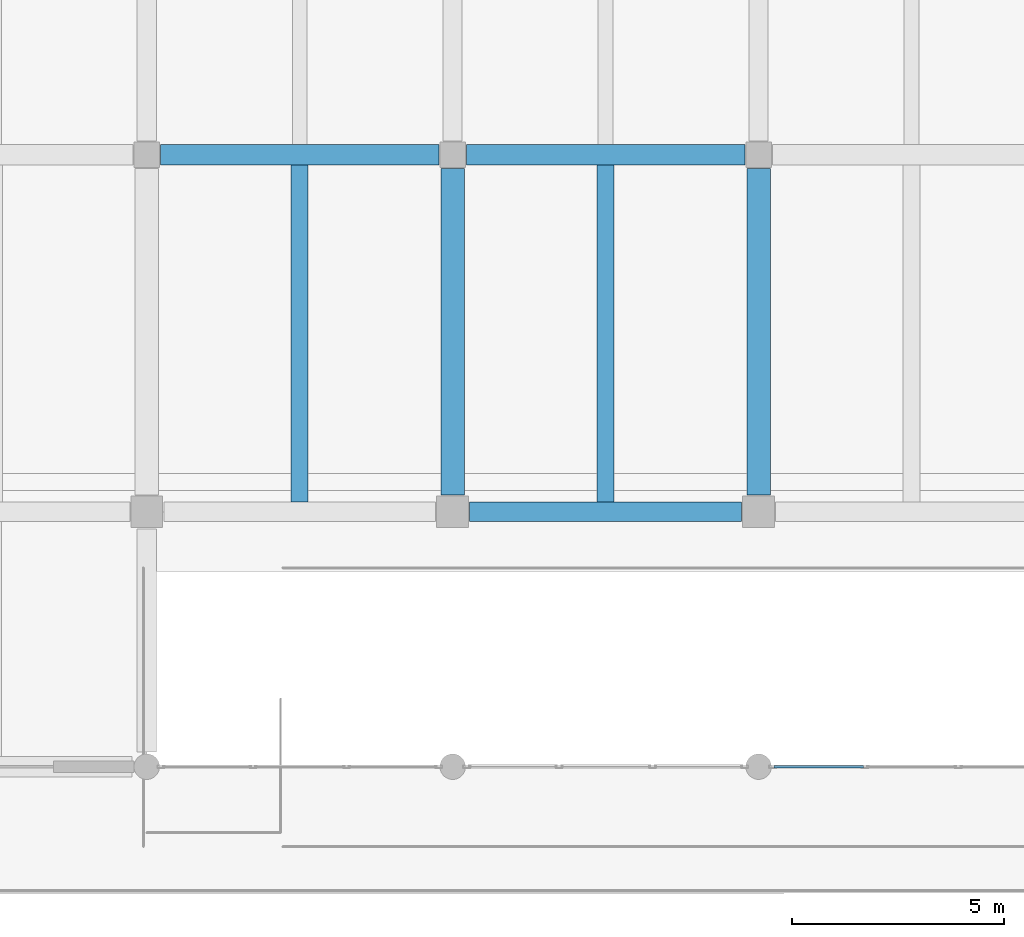
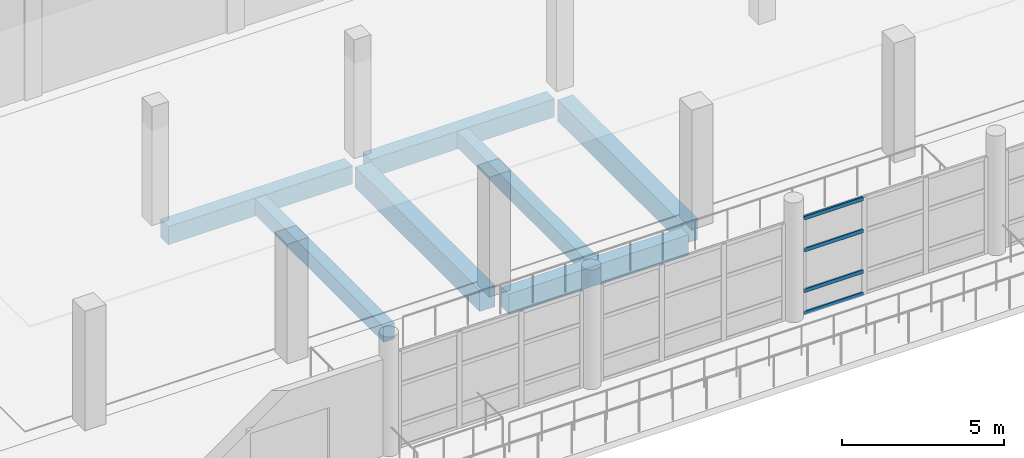
# One storey, part 10 of 71: 7 beams, 4 members, 1 element without a shape of its own.
"""IFC4 building model written with IfcOpenShell, lengths in metres."""

from ifc_helpers import new_model, si_unit, direction, frame, origin, origin_2d, place, context, subcontext, project, spatial, rectangle, hollow_rectangle, extrude, material, material_profile, profile_set, type_object, element, aggregate, save


model = new_model("IFC4")

# Units and contexts
model_context = context("Model", 3, precision=1e-05, world=origin(), true_north=direction((0.0, 1.0)))
body_context = subcontext(model_context, "Body", "Model", "MODEL_VIEW")
ifc_project = project(units=[si_unit("LENGTHUNIT", "METRE"), si_unit("AREAUNIT", "SQUARE_METRE"), si_unit("VOLUMEUNIT", "CUBIC_METRE"), si_unit("PLANEANGLEUNIT", "RADIAN"), si_unit("MASSUNIT", "GRAM", prefix="KILO")], contexts=[model_context])

# Site, building, storey
site_placement = place(None, origin())
site = spatial("IfcSite", under=ifc_project, at=site_placement, CompositionType="ELEMENT")
building_placement = place(site_placement, origin())
building = spatial("IfcBuilding", under=site, at=building_placement, Name="Pellamere Symphony Hall", CompositionType="ELEMENT")
storey_placement = place(building_placement, frame((0.0, 0.0, 15.0)))
storey = spatial("IfcBuildingStorey", under=building, at=storey_placement, Name="L03", CompositionType="ELEMENT", Elevation=15.0)

# Curtain wall, members
ifc_material_1 = material(Name="Thermally Broken Anodised Aluminium 6063-T6 Curtain Wall", Category="aluminium")
curtain_wall_type = type_object("IfcCurtainWallType", Name="Curtain Wall CW-02 (Winter-Garden South Concourse Curtain Wall)", PredefinedType="NOTDEFINED", material=ifc_material_1)
curtain_wall_placement = place(storey_placement, origin())
curtain_wall = element("IfcCurtainWall", 1, at=curtain_wall_placement, inside=storey, type_object=curtain_wall_type, Name="Winter-Garden South Curtain Wall (L03 Bay 7)", PredefinedType="NOTDEFINED")
ifc_material_2 = material(Name="Anodised Architectural Aluminium 6063-T6", Category="aluminium")
ifc_material_profile_1 = material_profile(ifc_material_2, hollow_rectangle(XDim=0.06494140625, YDim=0.139892578125, WallThickness=0.00390625, at=origin_2d()), Name="ALU-T65X140X4")
ifc_profile_set_1 = profile_set([ifc_material_profile_1], Name="Anodised Architectural Aluminium 6063-T6")
member_type = type_object("IfcMemberType", Name="Curtain Wall Transom TR-02 ALU-T65X140X4", PredefinedType="USERDEFINED", material=ifc_profile_set_1)
member_1_placement = place(storey_placement, frame((87.965087890625, 24.0, 0.032470703125), z_axis=(1.0, 0.0, 0.0), x_axis=(0.0, 1.0, 0.0)))
member_1 = element("IfcMember", 2, at=member_1_placement, type_object=member_type, Name="CW2-091 crystal transom 1.1", ObjectType="TRANSOM", PredefinedType="USERDEFINED", context=body_context, shape_type="SweptSolid", body=[
    extrude(hollow_rectangle(XDim=0.06494140625, YDim=0.139892578125, WallThickness=0.00390625, at=origin_2d()), origin(), (0.0, 0.0, 1.0), 2.102294921875),
])
member_2_placement = place(storey_placement, frame((87.965087890625, 24.0, 0.87353515625), z_axis=(1.0, 0.0, 0.0), x_axis=(0.0, 1.0, 0.0)))
member_2 = element("IfcMember", 3, at=member_2_placement, type_object=member_type, Name="CW2-091 crystal transom 1.2", ObjectType="TRANSOM", PredefinedType="USERDEFINED", context=body_context, shape_type="SweptSolid", body=[
    extrude(hollow_rectangle(XDim=0.06494140625, YDim=0.139892578125, WallThickness=0.00390625, at=origin_2d()), origin(), (0.0, 0.0, 1.0), 2.102294921875),
])
member_3_placement = place(storey_placement, frame((87.965087890625, 24.0, 2.40234375), z_axis=(1.0, 0.0, 0.0), x_axis=(0.0, 1.0, 0.0)))
member_3 = element("IfcMember", 4, at=member_3_placement, type_object=member_type, Name="CW2-091 crystal transom 1.3", ObjectType="TRANSOM", PredefinedType="USERDEFINED", context=body_context, shape_type="SweptSolid", body=[
    extrude(hollow_rectangle(XDim=0.06494140625, YDim=0.139892578125, WallThickness=0.00390625, at=origin_2d()), origin(), (0.0, 0.0, 1.0), 2.102294921875),
])
member_4_placement = place(storey_placement, frame((87.965087890625, 24.0, 3.607421875), z_axis=(1.0, 0.0, 0.0), x_axis=(0.0, 1.0, 0.0)))
member_4 = element("IfcMember", 5, at=member_4_placement, type_object=member_type, Name="CW2-091 crystal transom 1.4", ObjectType="TRANSOM", PredefinedType="USERDEFINED", context=body_context, shape_type="SweptSolid", body=[
    extrude(hollow_rectangle(XDim=0.06494140625, YDim=0.139892578125, WallThickness=0.00390625, at=origin_2d()), origin(), (0.0, 0.0, 1.0), 2.102294921875),
])
aggregate(curtain_wall, [member_1, member_2, member_3, member_4])

# Beams
ifc_material_3 = material(Name="Concrete 40 MPa", Category="concrete")
ifc_material_profile_2 = material_profile(ifc_material_3, rectangle(XDim=0.550048828125, YDim=0.800048828125, at=origin_2d()), Name="RC 550x800")
ifc_profile_set_2 = profile_set([ifc_material_profile_2], Name="Concrete 40 MPa")
beam_type_1 = type_object("IfcBeamType", Name="RC CB-05 550x800", PredefinedType="BEAM", material=ifc_profile_set_2)
for number, where, z_axis, x_axis, name in (
    (6, (80.39990234375, 30.39990234375, -0.659912109375), (0.0, 1.0, 0.0), (-1.0, 0.0, 0.0), "Girder CB-05-Y1631 (L03)"),
    (7, (87.60009765625, 30.39990234375, -0.659912109375), (0.0, 1.0, 0.0), (-1.0, 0.0, 0.0), "Girder CB-05-Y1635 (L03)"),
):
    element("IfcBeam", number, at=place(storey_placement, frame(where, z_axis=z_axis, x_axis=x_axis)), inside=storey, type_object=beam_type_1, Name=name, PredefinedType="BEAM", context=body_context, shape_type="SweptSolid", body=[
        extrude(rectangle(XDim=0.550048828125, YDim=0.800048828125, at=origin_2d()), origin(), (0.0, 0.0, 1.0), 7.675048828125),
    ])
ifc_material_profile_3 = material_profile(ifc_material_3, rectangle(XDim=0.39990234375, YDim=0.60009765625, at=origin_2d()), Name="RC 400x600")
ifc_profile_set_3 = profile_set([ifc_material_profile_3], Name="Concrete 40 MPa")
beam_type_2 = type_object("IfcBeamType", Name="RC CB-09 400x600", PredefinedType="BEAM", material=ifc_profile_set_3)
for number, where, z_axis, x_axis, name in (
    (8, (76.800048828125, 30.22509765625, -0.574951171875), (0.0, 1.0, 0.0), (-1.0, 0.0, 0.0), "Secondary Floor Beam CB-09-M0904 (L03)"),
    (9, (84.0, 30.22509765625, -0.574951171875), (0.0, 1.0, 0.0), (-1.0, 0.0, 0.0), "Secondary Floor Beam CB-09-M1004 (L03)"),
):
    element("IfcBeam", number, at=place(storey_placement, frame(where, z_axis=z_axis, x_axis=x_axis)), inside=storey, type_object=beam_type_2, Name=name, PredefinedType="BEAM", context=body_context, shape_type="SweptSolid", body=[
        extrude(rectangle(XDim=0.39990234375, YDim=0.60009765625, at=origin_2d()), origin(), (0.0, 0.0, 1.0), 7.934814453125),
    ])
ifc_material_profile_4 = material_profile(ifc_material_3, rectangle(XDim=0.449951171875, YDim=0.75, at=origin_2d()), Name="RC 450x750")
ifc_profile_set_4 = profile_set([ifc_material_profile_4], Name="Concrete 40 MPa")
beam_type_3 = type_object("IfcBeamType", Name="RC CB-12 450x750", PredefinedType="SPANDREL", material=ifc_profile_set_4)
beam_1_placement = place(storey_placement, frame((80.800048828125, 30.0, -0.635009765625), z_axis=(1.0, 0.0, 0.0), x_axis=(0.0, 1.0, 0.0)))
element("IfcBeam", 10, at=beam_1_placement, inside=storey, type_object=beam_type_3, Name="Girder CB-12-X1510 (L03)", PredefinedType="SPANDREL", context=body_context, shape_type="SweptSolid", body=[
    extrude(rectangle(XDim=0.449951171875, YDim=0.75, at=origin_2d()), origin(), (0.0, 0.0, 1.0), 6.39990234375),
])
ifc_material_profile_5 = material_profile(ifc_material_3, rectangle(XDim=0.47998046875, YDim=0.679931640625, at=origin_2d()), Name="RC 480x680")
ifc_profile_set_5 = profile_set([ifc_material_profile_5], Name="Concrete 40 MPa")
beam_type_4 = type_object("IfcBeamType", Name="RC CB-19 480x680", PredefinedType="BEAM", material=ifc_profile_set_5)
beam_2_placement = place(storey_placement, frame((73.52490234375, 38.39990234375, -0.60009765625), z_axis=(1.0, 0.0, 0.0), x_axis=(0.0, 1.0, 0.0)))
element("IfcBeam", 11, at=beam_2_placement, inside=storey, type_object=beam_type_4, Name="Girder CB-19-X1524 (L03)", PredefinedType="BEAM", context=body_context, shape_type="SweptSolid", body=[
    extrude(rectangle(XDim=0.47998046875, YDim=0.679931640625, at=origin_2d()), origin(), (0.0, 0.0, 1.0), 6.550048828125),
])
beam_3_placement = place(storey_placement, frame((80.72509765625, 38.39990234375, -0.60009765625), z_axis=(1.0, 0.0, 0.0), x_axis=(0.0, 1.0, 0.0)))
element("IfcBeam", 12, at=beam_3_placement, inside=storey, type_object=beam_type_4, Name="Girder CB-19-X1525 (L03)", PredefinedType="BEAM", context=body_context, shape_type="SweptSolid", body=[
    extrude(rectangle(XDim=0.47998046875, YDim=0.679931640625, at=origin_2d()), origin(), (0.0, 0.0, 1.0), 6.5498046875),
])

save(model, "model.ifc")
